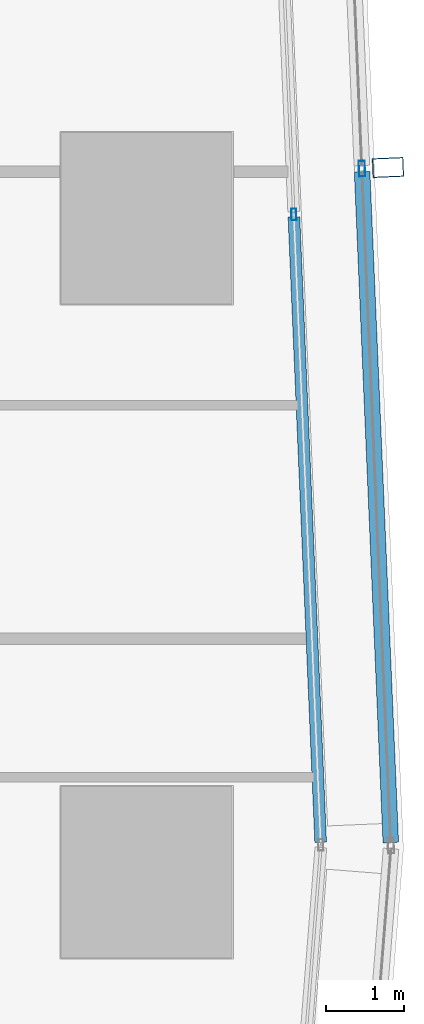
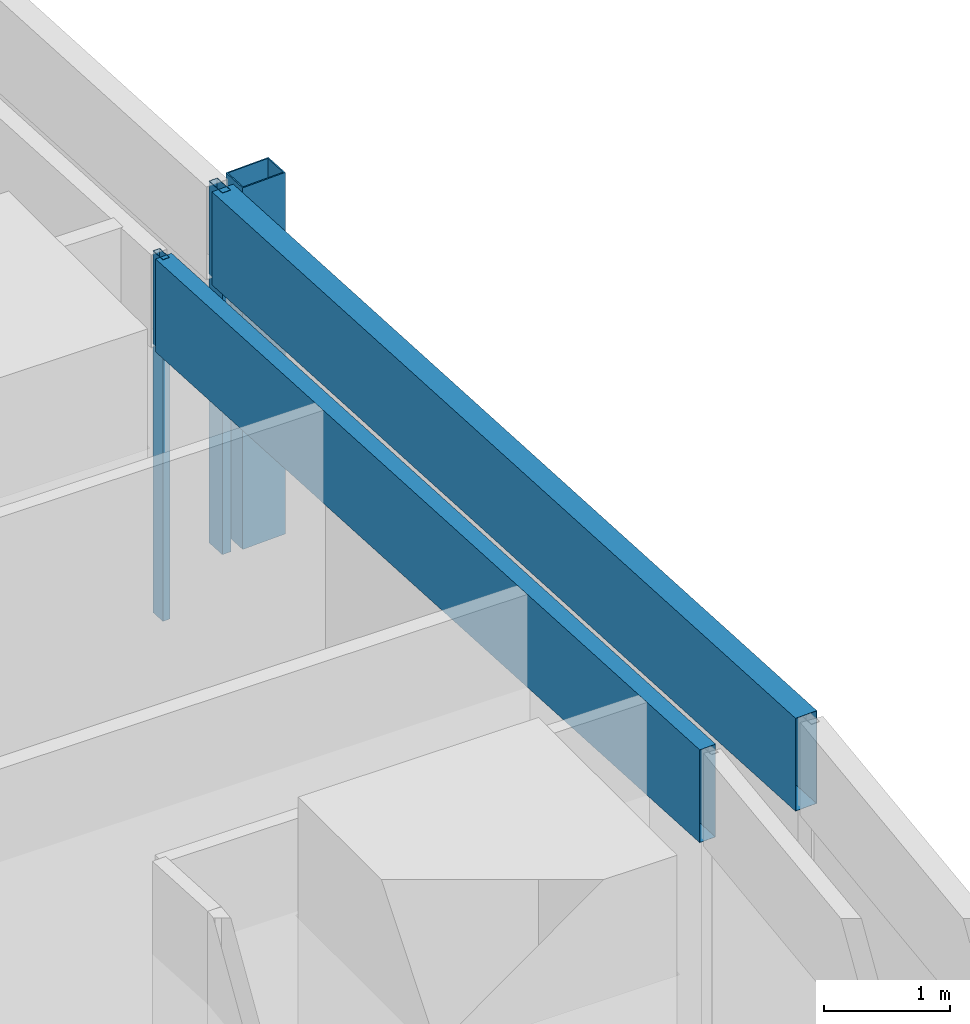
# One storey, part 27 of 45: 5 members, 2 elements without a shape of their own.
"""IFC4 building model written with IfcOpenShell, lengths in metres."""

from ifc_helpers import new_model, si_unit, direction, frame, origin, origin_2d, place, context, subcontext, project, spatial, hollow_rectangle, extrude, material, material_profile, profile_set, type_object, element, aggregate, save


model = new_model("IFC4")

# Units and contexts
model_context = context("Model", 3, precision=1e-05, world=origin(), true_north=direction((0.0, 1.0)))
body_context = subcontext(model_context, "Body", "Model", "MODEL_VIEW")
ifc_project = project(units=[si_unit("LENGTHUNIT", "METRE"), si_unit("AREAUNIT", "SQUARE_METRE"), si_unit("VOLUMEUNIT", "CUBIC_METRE"), si_unit("PLANEANGLEUNIT", "RADIAN"), si_unit("MASSUNIT", "GRAM", prefix="KILO")], contexts=[model_context])

# Site, building, storey
site_placement = place(None, origin())
site = spatial("IfcSite", under=ifc_project, at=site_placement, CompositionType="ELEMENT")
building_placement = place(site_placement, origin())
building = spatial("IfcBuilding", under=site, at=building_placement, Name="Rekha Terrace Tower", CompositionType="ELEMENT")
storey_placement = place(building_placement, frame((0.0, 0.0, 36.64990234375)))
storey = spatial("IfcBuildingStorey", under=building, at=storey_placement, Name="L08", CompositionType="ELEMENT", Elevation=36.64990234375)

# Curtain wall, member
ifc_material_1 = material(Name="Aluminium framing", Category="aluminium")
curtain_wall_type_1 = type_object("IfcCurtainWallType", Name="CW2 double skin outer glazing", PredefinedType="USERDEFINED", material=ifc_material_1)
curtain_wall_1_placement = place(storey_placement, origin())
curtain_wall_1 = element("IfcCurtainWall", 1, at=curtain_wall_1_placement, inside=storey, type_object=curtain_wall_type_1, Name="CW2 double skin outer glazing", ObjectType="DOUBLE SKIN OUTER GLAZING", PredefinedType="USERDEFINED")
ifc_material_2 = material(Name="Steel S355 with fluorocarbon finish", Category="steel")
ifc_material_profile_1 = material_profile(ifc_material_2, hollow_rectangle(XDim=0.25, YDim=0.39990234375, WallThickness=0.012451171875, at=origin_2d()), Name="RHS400x250x12.5")
ifc_profile_set_1 = profile_set([ifc_material_profile_1], Name="Steel S355 with fluorocarbon finish")
member_type_1 = type_object("IfcMemberType", Name="BL1 facade blade RHS 400 x 250", PredefinedType="USERDEFINED", material=ifc_profile_set_1)
member_1_placement = place(storey_placement, frame((70.301025390625, 34.2529296875, 0.0), z_axis=(0.0, 0.0, 1.0), x_axis=(-0.04269522475, 0.99908814315, 0.0)))
member_1 = element("IfcMember", 2, at=member_1_placement, type_object=member_type_1, Name="Facade blade", ObjectType="FACADE BLADE", PredefinedType="USERDEFINED", context=body_context, shape_type="SweptSolid", body=[
    extrude(hollow_rectangle(XDim=0.25, YDim=0.39990234375, WallThickness=0.012451171875, at=origin_2d()), origin(), (0.0, 0.0, 1.0), 3.5),
])

# Curtain wall, members
curtain_wall_type_2 = type_object("IfcCurtainWallType", Name="CW1 double skin inner glazing", PredefinedType="USERDEFINED", material=ifc_material_1)
curtain_wall_2_placement = place(storey_placement, origin())
curtain_wall_2 = element("IfcCurtainWall", 3, at=curtain_wall_2_placement, inside=storey, type_object=curtain_wall_type_2, Name="CW1 double skin inner glazing", ObjectType="DOUBLE SKIN INNER GLAZING", PredefinedType="USERDEFINED")
ifc_material_3 = material(Name="Aluminium mullion section", Category="aluminium")
ifc_material_profile_2 = material_profile(ifc_material_3, hollow_rectangle(XDim=0.06494140625, YDim=0.14990234375, WallThickness=0.00390625, at=origin_2d()), Name="AL RHS 65x150")
ifc_profile_set_2 = profile_set([ifc_material_profile_2], Name="Aluminium mullion section")
member_type_2 = type_object("IfcMemberType", Name="CW1 mullion RHS 65 x 150", PredefinedType="MULLION", material=ifc_profile_set_2)
member_2_placement = place(storey_placement, frame((69.0908203125, 33.650390625, 0.0), z_axis=(0.0, 0.0, 1.0), x_axis=(-0.999088106904, -0.042696072921, 0.0)))
member_2 = element("IfcMember", 4, at=member_2_placement, type_object=member_type_2, Name="CW1 mullion 2", PredefinedType="MULLION", context=body_context, shape_type="SweptSolid", body=[
    extrude(hollow_rectangle(XDim=0.06494140625, YDim=0.14990234375, WallThickness=0.00390625, at=origin_2d()), origin(), (0.0, 0.0, 1.0), 3.5),
])
ifc_material_4 = material(Name="Insulated aluminium spandrel box", Category="aluminium")
ifc_material_profile_3 = material_profile(ifc_material_4, hollow_rectangle(XDim=0.14990234375, YDim=0.89990234375, WallThickness=0.0029296875, at=origin_2d()), Name="AL SPANDREL BOX 150x900")
ifc_profile_set_3 = profile_set([ifc_material_profile_3], Name="Insulated aluminium spandrel box")
member_type_3 = type_object("IfcMemberType", Name="CW1 spandrel transom 150 x 900", PredefinedType="USERDEFINED", material=ifc_profile_set_3)
member_3_placement = place(storey_placement, frame((69.435546875, 25.584228515625, 3.050048828125), z_axis=(-0.042719126599, 0.999087121438, 0.0), x_axis=(-0.999087121438, -0.042719126599, 0.0)))
member_3 = element("IfcMember", 5, at=member_3_placement, type_object=member_type_3, Name="CW1 spandrel transom 1", ObjectType="TRANSOM", PredefinedType="USERDEFINED", context=body_context, shape_type="SweptSolid", body=[
    extrude(hollow_rectangle(XDim=0.14990234375, YDim=0.89990234375, WallThickness=0.0029296875, at=origin_2d()), origin(), (0.0, 0.0, 1.0), 8.041015625),
])
aggregate(curtain_wall_2, [member_2, member_3])

# Member
ifc_material_profile_4 = material_profile(ifc_material_3, hollow_rectangle(XDim=0.080078125, YDim=0.199951171875, WallThickness=0.00390625, at=origin_2d()), Name="AL RHS 80x200")
ifc_profile_set_4 = profile_set([ifc_material_profile_4], Name="Aluminium mullion section")
member_type_4 = type_object("IfcMemberType", Name="CW2 mullion RHS 80 x 200", PredefinedType="MULLION", material=ifc_profile_set_4)
member_4_placement = place(storey_placement, frame((69.96630859375, 34.23876953125, 0.0), z_axis=(0.0, 0.0, 1.0), x_axis=(-0.999088106903, -0.042696072956, 0.0)))
member_4 = element("IfcMember", 6, at=member_4_placement, type_object=member_type_4, Name="CW2 mullion 2", PredefinedType="MULLION", context=body_context, shape_type="SweptSolid", body=[
    extrude(hollow_rectangle(XDim=0.080078125, YDim=0.199951171875, WallThickness=0.00390625, at=origin_2d()), origin(), (0.0, 0.0, 1.0), 3.5),
])

ifc_material_profile_5 = material_profile(ifc_material_4, hollow_rectangle(XDim=0.199951171875, YDim=0.89990234375, WallThickness=0.0029296875, at=origin_2d()), Name="AL SPANDREL BOX 200x900")
ifc_profile_set_5 = profile_set([ifc_material_profile_5], Name="Insulated aluminium spandrel box")
member_type_5 = type_object("IfcMemberType", Name="CW2 spandrel transom 200 x 900", PredefinedType="USERDEFINED", material=ifc_profile_set_5)
member_5_placement = place(storey_placement, frame((70.33642578125, 25.582763671875, 3.050048828125), z_axis=(-0.042719742329, 0.99908709511, 0.0), x_axis=(-0.99908709511, -0.042719742329, 0.0)))
member_5 = element("IfcMember", 7, at=member_5_placement, type_object=member_type_5, Name="CW2 spandrel transom 1", ObjectType="TRANSOM", PredefinedType="USERDEFINED", context=body_context, shape_type="SweptSolid", body=[
    extrude(hollow_rectangle(XDim=0.199951171875, YDim=0.89990234375, WallThickness=0.0029296875, at=origin_2d()), origin(), (0.0, 0.0, 1.0), 8.623779296875),
])

aggregate(curtain_wall_1, [member_4, member_5, member_1])

save(model, "model.ifc")
